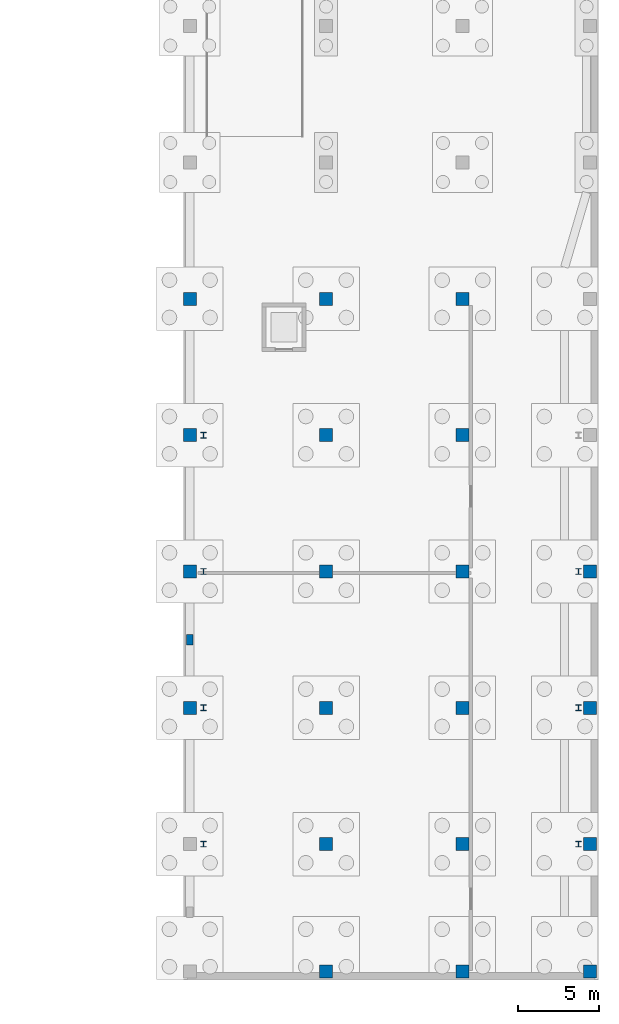
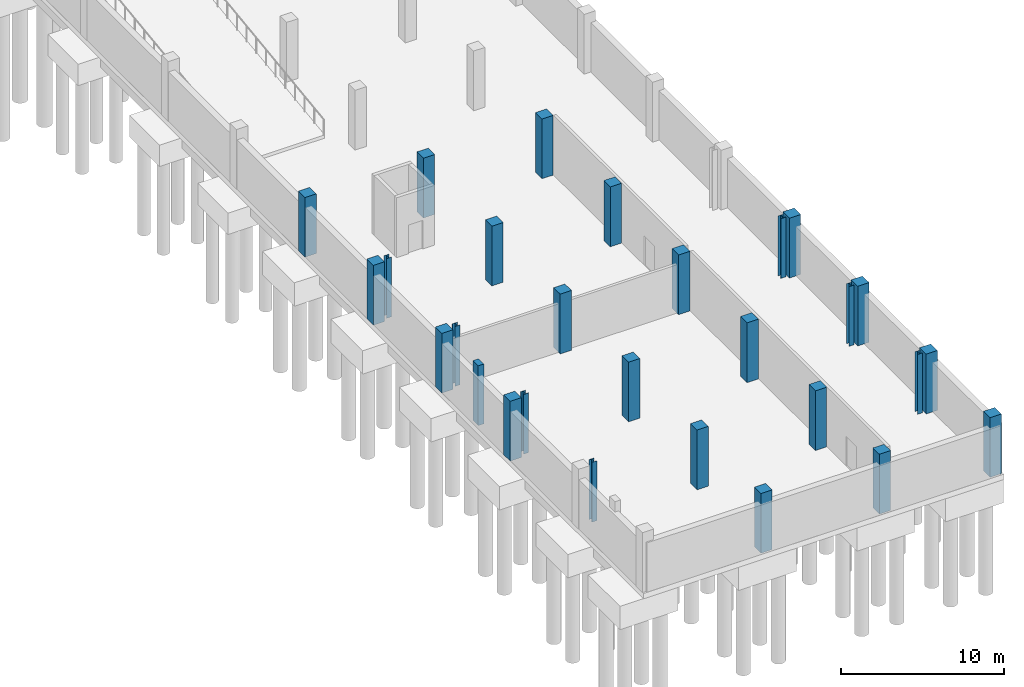
# One storey, part 6 of 18: 28 columns.
"""IFC4 building model written with IfcOpenShell, lengths in metres."""

from ifc_helpers import new_model, si_unit, direction, frame, origin, origin_2d, place, context, subcontext, project, spatial, rectangle, i_section, extrude, material, material_profile, profile_set, type_object, element, save


model = new_model("IFC4")

# Units and contexts
model_context = context("Model", 3, precision=1e-05, world=origin(), true_north=direction((0.0, 1.0)))
body_context = subcontext(model_context, "Body", "Model", "MODEL_VIEW")
ifc_project = project(units=[si_unit("LENGTHUNIT", "METRE"), si_unit("AREAUNIT", "SQUARE_METRE"), si_unit("VOLUMEUNIT", "CUBIC_METRE"), si_unit("PLANEANGLEUNIT", "RADIAN"), si_unit("MASSUNIT", "GRAM", prefix="KILO")], contexts=[model_context])

# Site, building, storey
site_placement = place(None, origin())
site = spatial("IfcSite", under=ifc_project, at=site_placement, CompositionType="ELEMENT")
building_placement = place(site_placement, origin())
building = spatial("IfcBuilding", under=site, at=building_placement, Name="Brinegate Botanical Conservatory", CompositionType="ELEMENT")
storey_placement = place(building_placement, frame((0.0, 0.0, -9.60009765625)))
storey = spatial("IfcBuildingStorey", under=building, at=storey_placement, Name="B2", CompositionType="ELEMENT", Elevation=-9.60009765625)

# Columns
ifc_material_1 = material(Name="Structural steel Q355B / S355", Category="steel")
ifc_material_profile_1 = material_profile(ifc_material_1, i_section(OverallWidth=0.35009765625, OverallDepth=0.35009765625, WebThickness=0.011962890625, FlangeThickness=0.01904296875, at=origin_2d()), Name="HW 350x350x12x19")
ifc_profile_set_1 = profile_set([ifc_material_profile_1], Name="Structural steel Q355B / S355")
column_type_1 = type_object("IfcColumnType", Name="Col_C-S1", PredefinedType="COLUMN", material=ifc_profile_set_1)
for number, where, z_axis, x_axis, name in (
    (1, (139.64990234375, 8.39990234375, 0.0), (0.0, 0.0, 1.0), (1.0, 0.0, 0.0), "Auditorium truss bearing column W1 B2"),
    (2, (139.64990234375, 16.800048828125, 0.0), (0.0, 0.0, 1.0), (1.0, 0.0, 0.0), "Auditorium truss bearing column W2 B2"),
    (3, (139.64990234375, 25.199951171875, 0.0), (0.0, 0.0, 1.0), (1.0, 0.0, 0.0), "Auditorium truss bearing column W3 B2"),
    (4, (139.64990234375, 33.60009765625, 0.0), (0.0, 0.0, 1.0), (1.0, 0.0, 0.0), "Auditorium truss bearing column W4 B2"),
    (5, (162.75, 8.39990234375, 0.0), (0.0, 0.0, 1.0), (1.0, 0.0, 0.0), "Auditorium truss bearing column E1 B2"),
    (6, (162.75, 16.800048828125, 0.0), (0.0, 0.0, 1.0), (1.0, 0.0, 0.0), "Auditorium truss bearing column E2 B2"),
    (7, (162.75, 25.199951171875, 0.0), (0.0, 0.0, 1.0), (1.0, 0.0, 0.0), "Auditorium truss bearing column E3 B2"),
):
    element("IfcColumn", number, at=place(storey_placement, frame(where, z_axis=z_axis, x_axis=x_axis)), inside=storey, type_object=column_type_1, Name=name, PredefinedType="COLUMN", context=body_context, shape_type="SweptSolid", body=[
        extrude(i_section(OverallWidth=0.35009765625, OverallDepth=0.35009765625, WebThickness=0.011962890625, FlangeThickness=0.01904296875, at=origin_2d()), origin(), (0.0, 0.0, 1.0), 4.47998046875),
    ])
ifc_material_2 = material(Name="Concrete C40/50", Category="concrete")
ifc_material_profile_2 = material_profile(ifc_material_2, rectangle(XDim=0.800048828125, YDim=0.800048828125, at=origin_2d()), Name="RC COL 800x800")
ifc_profile_set_2 = profile_set([ifc_material_profile_2], Name="Concrete C40/50")
column_type_2 = type_object("IfcColumnType", Name="Col_C-W1", PredefinedType="COLUMN", material=ifc_profile_set_2)
for number, where, z_axis, x_axis, name in (
    (8, (138.800048828125, 16.800048828125, 0.0), (0.0, 0.0, 1.0), (1.0, 0.0, 0.0), "Column C-W1 B2 C-18"),
    (9, (138.800048828125, 25.199951171875, 0.0), (0.0, 0.0, 1.0), (1.0, 0.0, 0.0), "Column C-W1 B2 D-18"),
    (10, (138.800048828125, 33.60009765625, 0.0), (0.0, 0.0, 1.0), (1.0, 0.0, 0.0), "Column C-W1 B2 E-18"),
    (11, (138.800048828125, 42.0, 0.0), (0.0, 0.0, 1.0), (1.0, 0.0, 0.0), "Column C-W1 B2 F-18"),
    (12, (147.199951171875, 0.550048828125, 0.0), (0.0, 0.0, 1.0), (1.0, 0.0, 0.0), "Column C-W1 B2 A-19"),
    (13, (147.199951171875, 8.39990234375, 0.0), (0.0, 0.0, 1.0), (1.0, 0.0, 0.0), "Column C-W1 B2 B-19"),
    (14, (147.199951171875, 16.800048828125, 0.0), (0.0, 0.0, 1.0), (1.0, 0.0, 0.0), "Column C-W1 B2 C-19"),
    (15, (147.199951171875, 25.199951171875, 0.0), (0.0, 0.0, 1.0), (1.0, 0.0, 0.0), "Column C-W1 B2 D-19"),
    (16, (147.199951171875, 33.60009765625, 0.0), (0.0, 0.0, 1.0), (1.0, 0.0, 0.0), "Column C-W1 B2 E-19"),
    (17, (147.199951171875, 42.0, 0.0), (0.0, 0.0, 1.0), (1.0, 0.0, 0.0), "Column C-W1 B2 F-19"),
    (18, (155.60009765625, 0.550048828125, 0.0), (0.0, 0.0, 1.0), (1.0, 0.0, 0.0), "Column C-W1 B2 A-20"),
    (19, (155.60009765625, 8.39990234375, 0.0), (0.0, 0.0, 1.0), (1.0, 0.0, 0.0), "Column C-W1 B2 B-20"),
    (20, (155.60009765625, 16.800048828125, 0.0), (0.0, 0.0, 1.0), (1.0, 0.0, 0.0), "Column C-W1 B2 C-20"),
    (21, (155.60009765625, 25.199951171875, 0.0), (0.0, 0.0, 1.0), (1.0, 0.0, 0.0), "Column C-W1 B2 D-20"),
    (22, (155.60009765625, 33.60009765625, 0.0), (0.0, 0.0, 1.0), (1.0, 0.0, 0.0), "Column C-W1 B2 E-20"),
    (23, (155.60009765625, 42.0, 0.0), (0.0, 0.0, 1.0), (1.0, 0.0, 0.0), "Column C-W1 B2 F-20"),
    (24, (163.449951171875, 0.550048828125, 0.0), (0.0, 0.0, 1.0), (1.0, 0.0, 0.0), "Column C-W1 B2 A-21"),
    (25, (163.449951171875, 8.39990234375, 0.0), (0.0, 0.0, 1.0), (1.0, 0.0, 0.0), "Column C-W1 B2 B-21"),
    (26, (163.449951171875, 16.800048828125, 0.0), (0.0, 0.0, 1.0), (1.0, 0.0, 0.0), "Column C-W1 B2 C-21"),
    (27, (163.449951171875, 25.199951171875, 0.0), (0.0, 0.0, 1.0), (1.0, 0.0, 0.0), "Column C-W1 B2 D-21"),
):
    element("IfcColumn", number, at=place(storey_placement, frame(where, z_axis=z_axis, x_axis=x_axis)), inside=storey, type_object=column_type_2, Name=name, PredefinedType="COLUMN", context=body_context, shape_type="SweptSolid", body=[
        extrude(rectangle(XDim=0.800048828125, YDim=0.800048828125, at=origin_2d()), origin(), (0.0, 0.0, 1.0), 4.47998046875),
    ])
ifc_material_profile_3 = material_profile(ifc_material_2, rectangle(XDim=0.39990234375, YDim=0.64990234375, at=origin_2d()), Name="RC PILASTER 400x650")
ifc_profile_set_3 = profile_set([ifc_material_profile_3], Name="Concrete C40/50")
column_type_3 = type_object("IfcColumnType", Name="Col_PL-W2", PredefinedType="PILASTER", material=ifc_profile_set_3)
column_placement = place(storey_placement, frame((138.800048828125, 21.0, 0.0), z_axis=(0.0, 0.0, 1.0), x_axis=(1.0, 0.0, 0.0)))
element("IfcColumn", 28, at=column_placement, inside=storey, type_object=column_type_3, Name="Warehouse pilaster PL-W2 B2 PL-W-V2B", PredefinedType="PILASTER", context=body_context, shape_type="SweptSolid", body=[
    extrude(rectangle(XDim=0.39990234375, YDim=0.64990234375, at=origin_2d()), origin(), (0.0, 0.0, 1.0), 4.47998046875),
])

save(model, "model.ifc")
